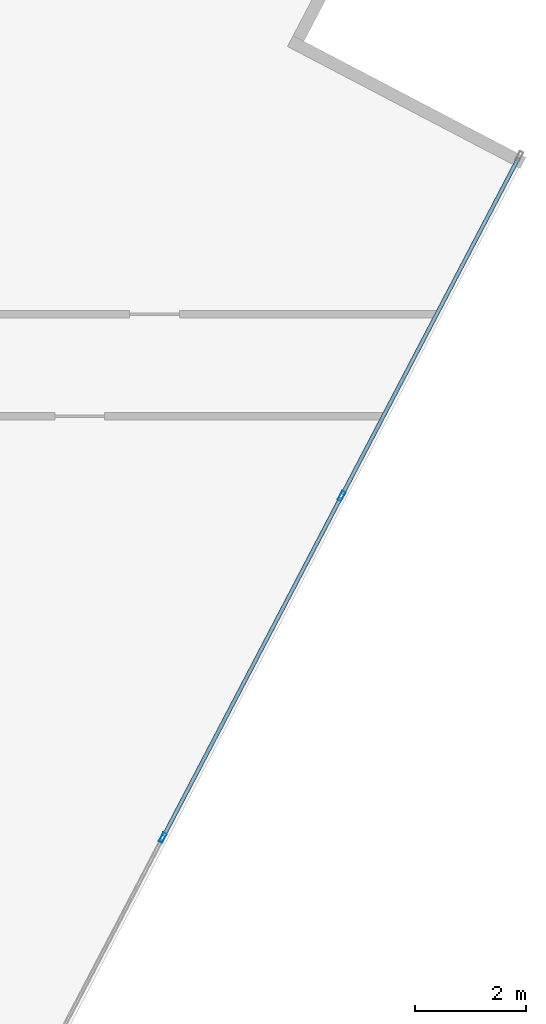
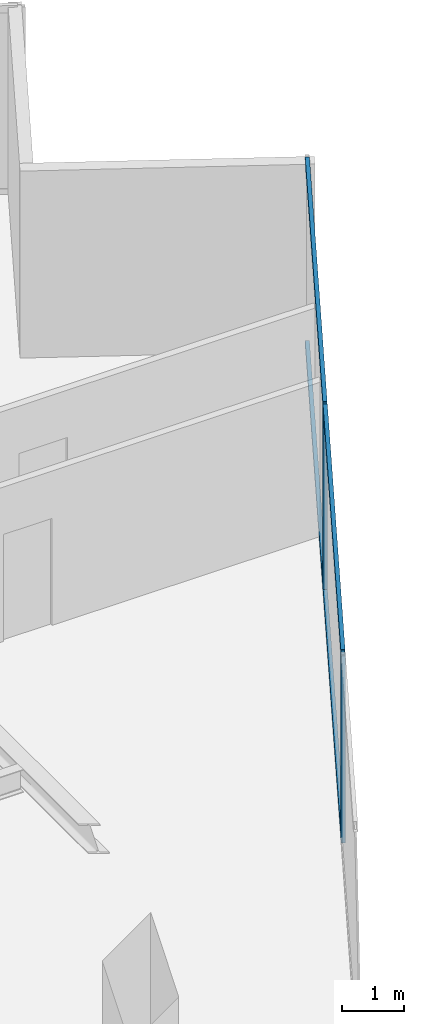
# One storey, part 12 of 27: 6 members, 1 element without a shape of its own.
"""IFC4 building model written with IfcOpenShell, lengths in metres."""

from ifc_helpers import new_model, si_unit, direction, frame, origin, origin_2d, place, context, subcontext, project, spatial, hollow_rectangle, extrude, source, transform, mapped, material, material_profile, profile_set, type_object, type_shapes, element, aggregate, save


model = new_model("IFC4")

# Units and contexts
model_context = context("Model", 3, precision=1e-05, world=origin(), true_north=direction((0.0, 1.0)))
body_context = subcontext(model_context, "Body", "Model", "MODEL_VIEW")
ifc_project = project(units=[si_unit("LENGTHUNIT", "METRE"), si_unit("AREAUNIT", "SQUARE_METRE"), si_unit("VOLUMEUNIT", "CUBIC_METRE"), si_unit("PLANEANGLEUNIT", "RADIAN"), si_unit("MASSUNIT", "GRAM", prefix="KILO")], contexts=[model_context])

# Site, building, storey
site_placement = place(None, origin())
site = spatial("IfcSite", under=ifc_project, at=site_placement, CompositionType="ELEMENT")
building_placement = place(site_placement, origin())
building = spatial("IfcBuilding", under=site, at=building_placement, Name="Krantzveldt Concourse Tower", CompositionType="ELEMENT")
storey_placement = place(building_placement, frame((0.0, 0.0, 154.10009765625)))
storey = spatial("IfcBuildingStorey", under=building, at=storey_placement, Name="L37", CompositionType="ELEMENT", Elevation=154.10009765625)

# Curtain wall, members
ifc_material = material(Name="Anodised aluminium 6063-T6", Category="aluminium")
curtain_wall_type = type_object("IfcCurtainWallType", Name="CW3", PredefinedType="USERDEFINED", material=ifc_material)
curtain_wall_placement = place(storey_placement, origin())
curtain_wall = element("IfcCurtainWall", 1, at=curtain_wall_placement, inside=storey, type_object=curtain_wall_type, Name="CW-L37-F07", ObjectType="UNITISED CURTAIN WALL", PredefinedType="USERDEFINED")
ifc_material_profile_1 = material_profile(ifc_material, hollow_rectangle(XDim=0.070068359375, YDim=0.179931640625, WallThickness=0.0048828125, at=origin_2d()), Name="Anodised aluminium 6063-T6", Category="aluminium")
ifc_profile_set_1 = profile_set([ifc_material_profile_1], Name="Anodised aluminium 6063-T6 - ALU-MULL 180x70x5")
member_type_1 = type_object("IfcMemberType", Name="CW-MUL-180", PredefinedType="MULLION", material=ifc_profile_set_1)
shared_shape_1 = source(origin(), body_context, "Body", "SweptSolid", [
    extrude(hollow_rectangle(XDim=0.070068359375, YDim=0.179931640625, WallThickness=0.0048828125, at=origin_2d()), origin(), (0.0, 0.0, 1.0), 3.669921875),
])
type_shapes(member_type_1, [shared_shape_1])
member_1_placement = place(storey_placement, frame((56.937255859375, 19.67041015625, 0.0), z_axis=(0.0, 0.0, 1.0), x_axis=(-0.886001265743, 0.463682819502, 0.0)))
member_1 = element("IfcMember", 2, at=member_1_placement, type_object=member_type_1, Name="CW-Z34 mullion 4", PredefinedType="MULLION", context=body_context, shape_type="MappedRepresentation", body=[
    mapped(shared_shape_1, transform((0.0, 0.0, 0.0), x_axis=(1.0, 0.0, 0.0), y_axis=(0.0, 1.0, 0.0), z_axis=(0.0, 0.0, 1.0), scale=1.0)),
])
member_2_placement = place(storey_placement, frame((60.16455078125, 25.8369140625, 0.0), z_axis=(0.0, 0.0, 1.0), x_axis=(-0.886001265743, 0.463682819502, 0.0)))
member_2 = element("IfcMember", 3, at=member_2_placement, type_object=member_type_1, Name="CW-Z34 mullion 5", PredefinedType="MULLION", context=body_context, shape_type="MappedRepresentation", body=[
    mapped(shared_shape_1, transform((0.0, 0.0, 0.0), x_axis=(1.0, 0.0, 0.0), y_axis=(0.0, 1.0, 0.0), z_axis=(0.0, 0.0, 1.0), scale=1.0)),
])
ifc_material_profile_2 = material_profile(ifc_material, hollow_rectangle(XDim=0.070068359375, YDim=0.139892578125, WallThickness=0.0048828125, at=origin_2d()), Name="Anodised aluminium 6063-T6", Category="aluminium")
ifc_profile_set_2 = profile_set([ifc_material_profile_2], Name="Anodised aluminium 6063-T6 - ALU-TRAN 140x70x5")
member_type_2 = type_object("IfcMemberType", Name="CW-TRN-150", PredefinedType="USERDEFINED", material=ifc_profile_set_2)
shared_shape_2 = source(origin(), body_context, "Body", "SweptSolid", [
    extrude(hollow_rectangle(XDim=0.070068359375, YDim=0.139892578125, WallThickness=0.0048828125, at=origin_2d()), origin(), (0.0, 0.0, 1.0), 6.85498046875),
])
member_3_placement = place(storey_placement, frame((60.1806640625, 25.867919921875, 0.034912109375), z_axis=(0.463704875487, 0.885989722542, 0.0), x_axis=(-0.885989722542, 0.463704875487, 0.0)))
member_3 = element("IfcMember", 4, at=member_3_placement, type_object=member_type_2, Name="CW-Z34 transom 5.1", ObjectType="TRANSOM", PredefinedType="USERDEFINED", context=body_context, shape_type="MappedRepresentation", body=[
    mapped(shared_shape_2, transform((0.0, 0.0, 0.0), x_axis=(1.0, 0.0, 0.0), y_axis=(0.0, 1.0, 0.0), z_axis=(0.0, 0.0, 1.0), scale=1.0)),
])
member_4_placement = place(storey_placement, frame((60.1806640625, 25.867919921875, 3.635009765625), z_axis=(0.463704875487, 0.885989722542, 0.0), x_axis=(-0.885989722542, 0.463704875487, 0.0)))
member_4 = element("IfcMember", 5, at=member_4_placement, type_object=member_type_2, Name="CW-Z34 transom 5.2", ObjectType="TRANSOM", PredefinedType="USERDEFINED", context=body_context, shape_type="MappedRepresentation", body=[
    mapped(shared_shape_2, transform((0.0, 0.0, 0.0), x_axis=(1.0, 0.0, 0.0), y_axis=(0.0, 1.0, 0.0), z_axis=(0.0, 0.0, 1.0), scale=1.0)),
])
shared_shape_3 = source(origin(), body_context, "Body", "SweptSolid", [
    extrude(hollow_rectangle(XDim=0.070068359375, YDim=0.139892578125, WallThickness=0.0048828125, at=origin_2d()), origin(), (0.0, 0.0, 1.0), 6.889892578125),
])
type_shapes(member_type_2, [shared_shape_2, shared_shape_3])
member_5_placement = place(storey_placement, frame((56.95361328125, 19.701416015625, 0.034912109375), z_axis=(0.463664024422, 0.886011101769, 0.0), x_axis=(-0.886011101769, 0.463664024422, 0.0)))
member_5 = element("IfcMember", 6, at=member_5_placement, type_object=member_type_2, Name="CW-Z34 transom 4.1", ObjectType="TRANSOM", PredefinedType="USERDEFINED", context=body_context, shape_type="MappedRepresentation", body=[
    mapped(shared_shape_3, transform((0.0, 0.0, 0.0), x_axis=(1.0, 0.0, 0.0), y_axis=(0.0, 1.0, 0.0), z_axis=(0.0, 0.0, 1.0), scale=1.0)),
])
member_6_placement = place(storey_placement, frame((56.95361328125, 19.701416015625, 3.635009765625), z_axis=(0.463664024422, 0.886011101769, 0.0), x_axis=(-0.886011101769, 0.463664024422, 0.0)))
member_6 = element("IfcMember", 7, at=member_6_placement, type_object=member_type_2, Name="CW-Z34 transom 4.2", ObjectType="TRANSOM", PredefinedType="USERDEFINED", context=body_context, shape_type="MappedRepresentation", body=[
    mapped(shared_shape_3, transform((0.0, 0.0, 0.0), x_axis=(1.0, 0.0, 0.0), y_axis=(0.0, 1.0, 0.0), z_axis=(0.0, 0.0, 1.0), scale=1.0)),
])
aggregate(curtain_wall, [member_1, member_2, member_5, member_6, member_3, member_4])

save(model, "model.ifc")
